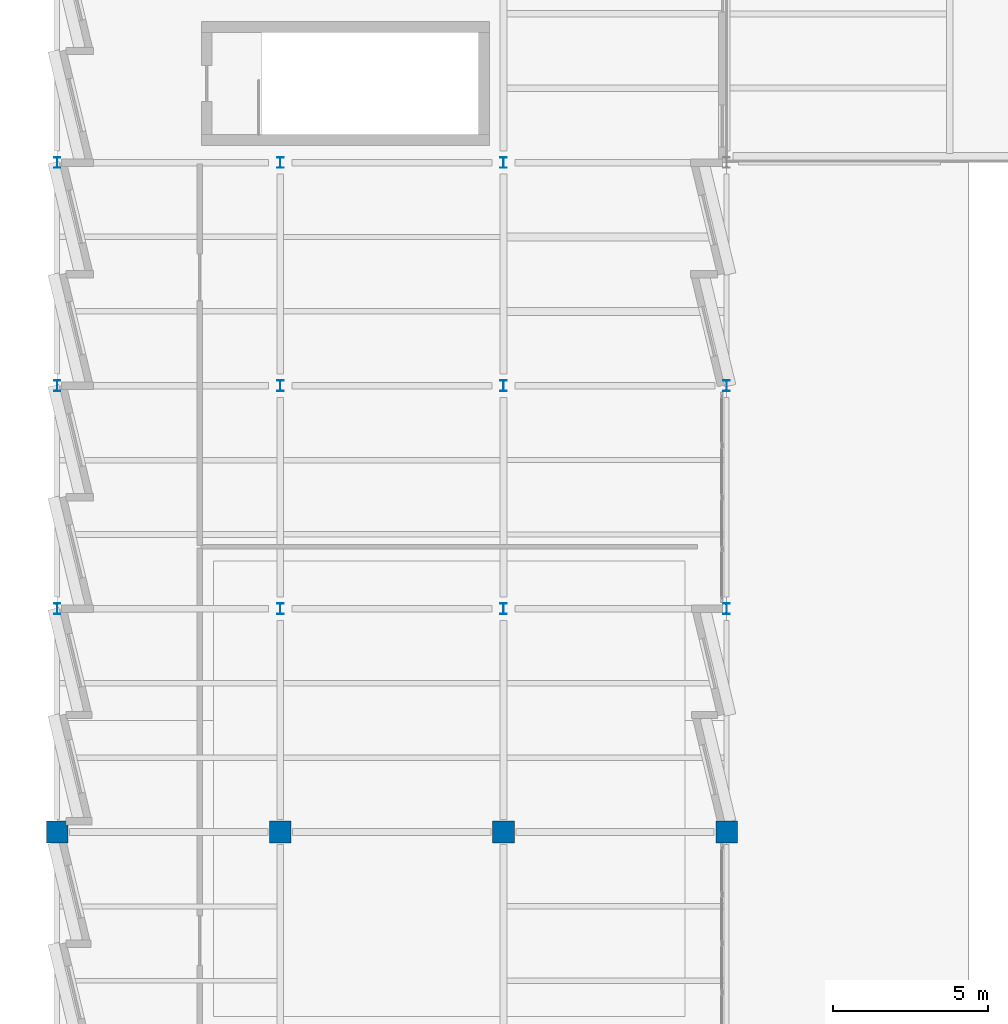
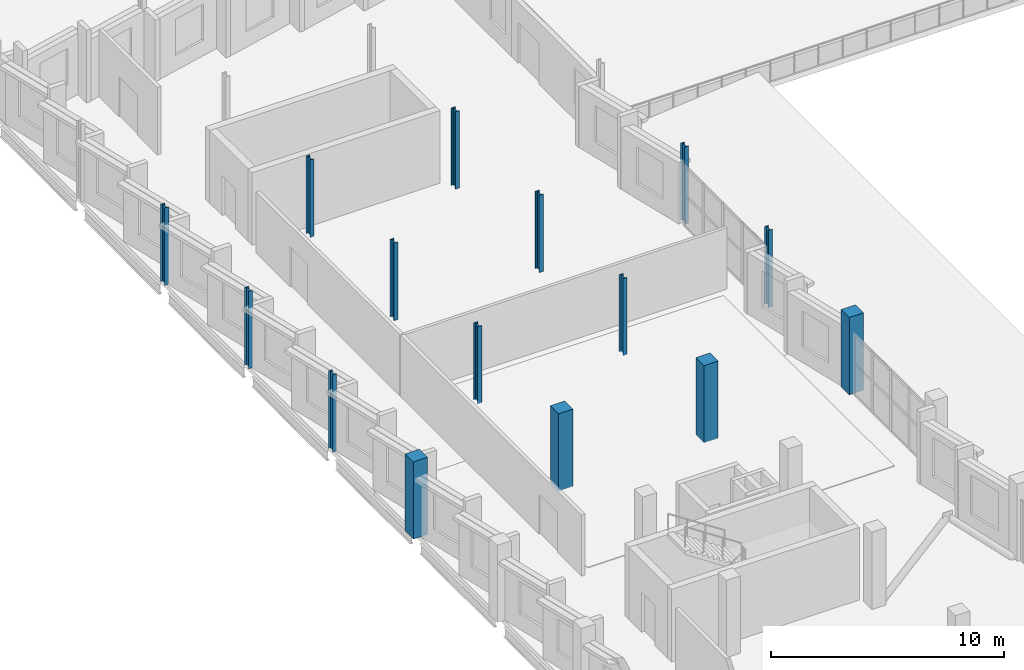
# One storey, part 6 of 38: 15 columns.
"""IFC4 building model written with IfcOpenShell, lengths in metres."""

from ifc_helpers import new_model, si_unit, direction, frame, origin, origin_2d, place, context, subcontext, project, spatial, rectangle, i_section, extrude, material, material_profile, profile_set, type_object, element, save


model = new_model("IFC4")

# Units and contexts
model_context = context("Model", 3, precision=1e-05, world=origin(), true_north=direction((0.0, 1.0)))
body_context = subcontext(model_context, "Body", "Model", "MODEL_VIEW")
ifc_project = project(units=[si_unit("LENGTHUNIT", "METRE"), si_unit("AREAUNIT", "SQUARE_METRE"), si_unit("VOLUMEUNIT", "CUBIC_METRE"), si_unit("PLANEANGLEUNIT", "RADIAN"), si_unit("MASSUNIT", "GRAM", prefix="KILO")], contexts=[model_context])

# Site, building, storey
site_placement = place(None, origin())
site = spatial("IfcSite", under=ifc_project, at=site_placement, CompositionType="ELEMENT")
building_placement = place(site_placement, origin())
building = spatial("IfcBuilding", under=site, at=building_placement, Name="Kalmorath City Hall", CompositionType="ELEMENT")
storey_placement = place(building_placement, frame((0.0, 0.0, 18.89990234375)))
storey = spatial("IfcBuildingStorey", under=building, at=storey_placement, Name="L04", CompositionType="ELEMENT", Elevation=18.89990234375)

# Columns
ifc_material_1 = material(Name="Concrete C50/60", Category="concrete")
ifc_material_profile_1 = material_profile(ifc_material_1, rectangle(XDim=0.699951171875, YDim=0.699951171875, at=origin_2d()), Name="RC-COL-700X700")
ifc_profile_set_1 = profile_set([ifc_material_profile_1], Name="Concrete C50/60")
column_type_1 = type_object("IfcColumnType", Name="Concrete column 700x700", PredefinedType="COLUMN", material=ifc_profile_set_1)
for number, where, z_axis, x_axis, name in (
    (1, (0.0, 64.800048828125, 0.0), (0.0, 0.0, 1.0), (1.0, 0.0, 0.0), "L04 column C4 (1/10)"),
    (2, (7.199951171875, 64.800048828125, 0.0), (0.0, 0.0, 1.0), (1.0, 0.0, 0.0), "L04 column C4 (2/10)"),
    (3, (14.39990234375, 64.800048828125, 0.0), (0.0, 0.0, 1.0), (1.0, 0.0, 0.0), "L04 column C4 (3/10)"),
    (4, (21.60009765625, 64.800048828125, 0.0), (0.0, 0.0, 1.0), (1.0, 0.0, 0.0), "L04 column C4 (4/10)"),
):
    element("IfcColumn", number, at=place(storey_placement, frame(where, z_axis=z_axis, x_axis=x_axis)), inside=storey, type_object=column_type_1, Name=name, PredefinedType="COLUMN", context=body_context, shape_type="SweptSolid", body=[
        extrude(rectangle(XDim=0.699951171875, YDim=0.699951171875, at=origin_2d()), origin(), (0.0, 0.0, 1.0), 4.050048828125),
    ])
ifc_material_2 = material(Name="Steel ASTM A992 Grade 50", Category="steel")
ifc_material_profile_2 = material_profile(ifc_material_2, i_section(OverallWidth=0.2041015625, OverallDepth=0.35009765625, WebThickness=0.008544921875, FlangeThickness=0.01513671875, FilletRadius=0.014892578125, at=origin_2d()), Name="W14X48")
ifc_profile_set_2 = profile_set([ifc_material_profile_2], Name="Steel ASTM A992 Grade 50")
column_type_2 = type_object("IfcColumnType", Name="Steel wide-flange column W14X48", PredefinedType="COLUMN", material=ifc_profile_set_2)
for number, where, z_axis, x_axis, name in (
    (5, (0.0, 72.0, 0.0), (0.0, 0.0, 1.0), (1.0, 0.0, 0.0), "L04 column SC6 (1/11)"),
    (6, (0.0, 79.199951171875, 0.0), (0.0, 0.0, 1.0), (1.0, 0.0, 0.0), "L04 column SC6 (1/12)"),
    (7, (0.0, 86.39990234375, 0.0), (0.0, 0.0, 1.0), (1.0, 0.0, 0.0), "L04 column SC6 (1/13)"),
    (8, (7.199951171875, 72.0, 0.0), (0.0, 0.0, 1.0), (1.0, 0.0, 0.0), "L04 column SC6 (2/11)"),
    (9, (7.199951171875, 79.199951171875, 0.0), (0.0, 0.0, 1.0), (1.0, 0.0, 0.0), "L04 column SC6 (2/12)"),
    (10, (7.199951171875, 86.39990234375, 0.0), (0.0, 0.0, 1.0), (1.0, 0.0, 0.0), "L04 column SC6 (2/13)"),
    (11, (14.39990234375, 72.0, 0.0), (0.0, 0.0, 1.0), (1.0, 0.0, 0.0), "L04 column SC6 (3/11)"),
    (12, (14.39990234375, 79.199951171875, 0.0), (0.0, 0.0, 1.0), (1.0, 0.0, 0.0), "L04 column SC6 (3/12)"),
    (13, (14.39990234375, 86.39990234375, 0.0), (0.0, 0.0, 1.0), (1.0, 0.0, 0.0), "L04 column SC6 (3/13)"),
    (14, (21.60009765625, 72.0, 0.0), (0.0, 0.0, 1.0), (1.0, 0.0, 0.0), "L04 column SC6 (4/11)"),
    (15, (21.60009765625, 79.199951171875, 0.0), (0.0, 0.0, 1.0), (1.0, 0.0, 0.0), "L04 column SC6 (4/12)"),
):
    element("IfcColumn", number, at=place(storey_placement, frame(where, z_axis=z_axis, x_axis=x_axis)), inside=storey, type_object=column_type_2, Name=name, PredefinedType="COLUMN", context=body_context, shape_type="SweptSolid", body=[
        extrude(i_section(OverallWidth=0.2041015625, OverallDepth=0.35009765625, WebThickness=0.008544921875, FlangeThickness=0.01513671875, FilletRadius=0.014892578125, at=origin_2d()), origin(), (0.0, 0.0, 1.0), 4.050048828125),
    ])

save(model, "model.ifc")
